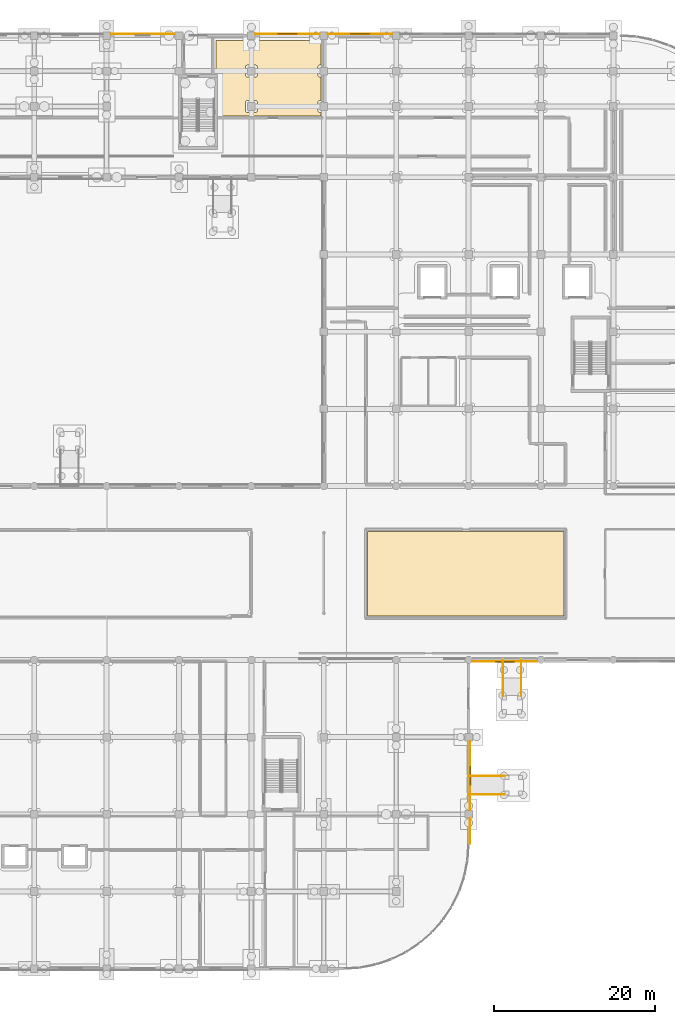
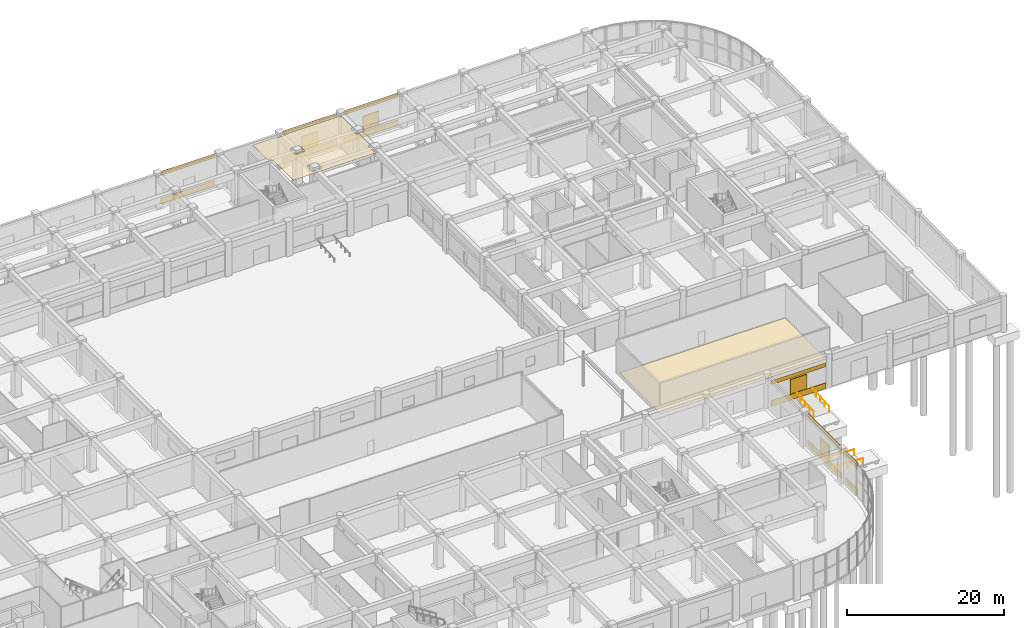
# One storey, part 68 of 74: 14 coverings, 4 railings, 4 shading devices.
"""IFC4 building model written with IfcOpenShell, lengths in metres."""

from ifc_helpers import new_model, si_unit, direction, frame, origin, origin_2d, place, context, subcontext, project, spatial, polyline, rectangle, circle, outline, extrude, material, layer, layer_set, type_object, element, save


model = new_model("IFC4")

# Units and contexts
model_context = context("Model", 3, precision=1e-05, world=origin(), true_north=direction((0.0, 1.0)))
body_context = subcontext(model_context, "Body", "Model", "MODEL_VIEW")
ifc_project = project(units=[si_unit("LENGTHUNIT", "METRE"), si_unit("AREAUNIT", "SQUARE_METRE"), si_unit("VOLUMEUNIT", "CUBIC_METRE"), si_unit("PLANEANGLEUNIT", "RADIAN"), si_unit("MASSUNIT", "GRAM", prefix="KILO")], contexts=[model_context])

# Site, building, storey
site_placement = place(None, origin())
site = spatial("IfcSite", under=ifc_project, at=site_placement, CompositionType="ELEMENT")
building_placement = place(site_placement, origin())
building = spatial("IfcBuilding", under=site, at=building_placement, Name="Cendralis Terraced Arcade", CompositionType="ELEMENT")
storey_placement = place(building_placement, origin())
storey = spatial("IfcBuildingStorey", under=building, at=storey_placement, Name="L00", CompositionType="ELEMENT", Elevation=0.0)

# Coverings
ifc_material_1 = material(Name="Gypsum plasterboard acoustic partition")
ifc_layer_1 = layer(ifc_material_1, 0.02490234375, Name="COV-CEIL-ACOU-25")
ifc_layer_set_1 = layer_set([ifc_layer_1], Name="Gypsum plasterboard acoustic partition")
covering_type_1 = type_object("IfcCoveringType", Name="COV-CEIL-ACOU-25", PredefinedType="CEILING", material=ifc_layer_set_1)
covering_1_placement = place(storey_placement, frame((0.0, 0.0, 5.06494140625)))
element("IfcCovering", 1, at=covering_1_placement, inside=storey, type_object=covering_type_1, Name="Acoustic Soffit Ceiling L00-038", PredefinedType="CEILING", context=body_context, shape_type="SweptSolid", body=[
    extrude(outline(polyline([(107.81005859375, 115.409912109375), (111.480712890625, 115.409912109375), (111.4814453125, 115.40869140625), (111.492919921875, 115.386962890625), (111.493896484375, 115.385498046875), (111.507568359375, 115.364990234375), (111.5087890625, 115.36328125), (111.5244140625, 115.344482421875), (111.525634765625, 115.343017578125), (111.54296875, 115.32568359375), (111.54443359375, 115.32421875), (111.5634765625, 115.30859375), (111.56494140625, 115.3076171875), (111.58544921875, 115.2939453125), (111.5869140625, 115.29296875), (111.608642578125, 115.281494140625), (111.610595703125, 115.280517578125), (111.633056640625, 115.27099609375), (111.635009765625, 115.2705078125), (111.658447265625, 115.263427734375), (111.660400390625, 115.262939453125), (111.684326171875, 115.258056640625), (111.686279296875, 115.2578125), (111.710693359375, 115.25537109375), (111.712646484375, 115.25537109375), (111.72509765625, 115.2548828125), (112.675048828125, 115.2548828125), (112.687255859375, 115.25537109375), (112.689208984375, 115.25537109375), (112.713623046875, 115.2578125), (112.715576171875, 115.258056640625), (112.739501953125, 115.262939453125), (112.74169921875, 115.263427734375), (112.764892578125, 115.2705078125), (112.766845703125, 115.27099609375), (112.78955078125, 115.280517578125), (112.791259765625, 115.281494140625), (112.81298828125, 115.29296875), (112.814697265625, 115.2939453125), (112.8349609375, 115.3076171875), (112.836669921875, 115.30859375), (112.855712890625, 115.32421875), (112.85693359375, 115.32568359375), (112.87451171875, 115.343017578125), (112.875732421875, 115.344482421875), (112.891357421875, 115.36328125), (112.892333984375, 115.364990234375), (112.906005859375, 115.385498046875), (112.906982421875, 115.386962890625), (112.918701171875, 115.40869140625), (112.919189453125, 115.409912109375), (120.480712890625, 115.409912109375), (120.4814453125, 115.40869140625), (120.492919921875, 115.386962890625), (120.493896484375, 115.385498046875), (120.507568359375, 115.364990234375), (120.5087890625, 115.36328125), (120.5244140625, 115.344482421875), (120.525634765625, 115.343017578125), (120.54296875, 115.32568359375), (120.54443359375, 115.32421875), (120.5634765625, 115.30859375), (120.56494140625, 115.3076171875), (120.58544921875, 115.2939453125), (120.5869140625, 115.29296875), (120.608642578125, 115.281494140625), (120.610595703125, 115.280517578125), (120.633056640625, 115.27099609375), (120.635009765625, 115.2705078125), (120.658447265625, 115.263427734375), (120.660400390625, 115.262939453125), (120.684326171875, 115.258056640625), (120.686279296875, 115.2578125), (120.710693359375, 115.25537109375), (120.712646484375, 115.25537109375), (120.72509765625, 115.2548828125), (120.830078125, 115.2548828125), (120.830078125, 112.344970703125), (120.72509765625, 112.344970703125), (120.712646484375, 112.3447265625), (120.710693359375, 112.344482421875), (120.686279296875, 112.34228515625), (120.684326171875, 112.341796875), (120.660400390625, 112.337158203125), (120.658447265625, 112.336669921875), (120.635009765625, 112.32958984375), (120.633056640625, 112.328857421875), (120.610595703125, 112.319580078125), (120.608642578125, 112.318603515625), (120.5869140625, 112.30712890625), (120.58544921875, 112.30615234375), (120.56494140625, 112.29248046875), (120.5634765625, 112.291259765625), (120.54443359375, 112.275634765625), (120.54296875, 112.2744140625), (120.525634765625, 112.257080078125), (120.5244140625, 112.255615234375), (120.5087890625, 112.236572265625), (120.507568359375, 112.235107421875), (120.493896484375, 112.214599609375), (120.492919921875, 112.212890625), (120.4814453125, 112.19140625), (120.48046875, 112.189453125), (120.47119140625, 112.1669921875), (120.470458984375, 112.1650390625), (120.46337890625, 112.1416015625), (120.462890625, 112.1396484375), (120.4580078125, 112.115478515625), (120.457763671875, 112.113525390625), (120.455322265625, 112.089111328125), (120.455322265625, 112.08740234375), (120.455078125, 112.074951171875), (120.455078125, 111.125), (120.455322265625, 111.11279296875), (120.455322265625, 111.11083984375), (120.457763671875, 111.08642578125), (120.4580078125, 111.08447265625), (120.462890625, 111.060302734375), (120.46337890625, 111.058349609375), (120.470458984375, 111.034912109375), (120.47119140625, 111.033203125), (120.48046875, 111.010498046875), (120.4814453125, 111.0087890625), (120.492919921875, 110.987060546875), (120.493896484375, 110.9853515625), (120.507568359375, 110.965087890625), (120.5087890625, 110.96337890625), (120.5244140625, 110.9443359375), (120.525634765625, 110.943115234375), (120.54296875, 110.925537109375), (120.54443359375, 110.92431640625), (120.5634765625, 110.90869140625), (120.56494140625, 110.90771484375), (120.58544921875, 110.893798828125), (120.5869140625, 110.892822265625), (120.608642578125, 110.88134765625), (120.610595703125, 110.880615234375), (120.633056640625, 110.87109375), (120.635009765625, 110.87060546875), (120.658447265625, 110.86328125), (120.660400390625, 110.86279296875), (120.684326171875, 110.858154296875), (120.686279296875, 110.85791015625), (120.710693359375, 110.85546875), (120.712646484375, 110.855224609375), (120.72509765625, 110.85498046875), (120.830078125, 110.85498046875), (120.830078125, 107.945068359375), (120.72509765625, 107.945068359375), (120.712646484375, 107.944580078125), (120.710693359375, 107.944580078125), (120.686279296875, 107.942138671875), (120.684326171875, 107.94189453125), (120.660400390625, 107.93701171875), (120.658447265625, 107.9365234375), (120.635009765625, 107.929443359375), (120.633056640625, 107.928955078125), (120.610595703125, 107.91943359375), (120.608642578125, 107.918701171875), (120.5869140625, 107.906982421875), (120.58544921875, 107.906005859375), (120.56494140625, 107.892333984375), (120.5634765625, 107.891357421875), (120.54443359375, 107.875732421875), (120.54296875, 107.87451171875), (120.525634765625, 107.85693359375), (120.5244140625, 107.855712890625), (120.5087890625, 107.836669921875), (120.507568359375, 107.8349609375), (120.493896484375, 107.814697265625), (120.492919921875, 107.81298828125), (120.4814453125, 107.791259765625), (120.48046875, 107.78955078125), (120.47119140625, 107.766845703125), (120.470458984375, 107.764892578125), (120.46337890625, 107.74169921875), (120.462890625, 107.739501953125), (120.4580078125, 107.715576171875), (120.457763671875, 107.713623046875), (120.455322265625, 107.689208984375), (120.455322265625, 107.687255859375), (120.455078125, 107.675048828125), (120.455078125, 106.72509765625), (120.455322265625, 106.712646484375), (120.455322265625, 106.710693359375), (120.457763671875, 106.686279296875), (120.4580078125, 106.684326171875), (120.462890625, 106.660400390625), (120.46337890625, 106.658447265625), (120.470458984375, 106.635009765625), (120.47119140625, 106.633056640625), (120.48046875, 106.610595703125), (120.4814453125, 106.608642578125), (120.492919921875, 106.5869140625), (120.493896484375, 106.58544921875), (120.507568359375, 106.56494140625), (120.5087890625, 106.5634765625), (120.5244140625, 106.54443359375), (120.525634765625, 106.54296875), (120.54296875, 106.525634765625), (120.54443359375, 106.5244140625), (120.5634765625, 106.5087890625), (120.56494140625, 106.507568359375), (120.58544921875, 106.493896484375), (120.5869140625, 106.492919921875), (120.608642578125, 106.4814453125), (120.610595703125, 106.48046875), (120.633056640625, 106.47119140625), (120.635009765625, 106.470458984375), (120.658447265625, 106.46337890625), (120.660400390625, 106.462890625), (120.684326171875, 106.4580078125), (120.686279296875, 106.457763671875), (120.710693359375, 106.455322265625), (120.712646484375, 106.455322265625), (120.72509765625, 106.455078125), (120.830078125, 106.455078125), (120.830078125, 106.030029296875), (108.639892578125, 106.030029296875), (108.636962890625, 106.030029296875), (108.634033203125, 106.02978515625), (108.630859375, 106.02978515625), (108.625, 106.02978515625), (108.6220703125, 106.029541015625), (108.618896484375, 106.029541015625), (108.615966796875, 106.029296875), (108.55517578125, 106.0263671875), (108.549072265625, 106.02587890625), (108.543212890625, 106.025634765625), (108.537109375, 106.025146484375), (108.525390625, 106.02392578125), (108.519287109375, 106.023193359375), (108.513427734375, 106.0224609375), (108.50732421875, 106.021728515625), (108.447021484375, 106.0126953125), (108.441162109375, 106.01171875), (108.435302734375, 106.0107421875), (108.42919921875, 106.009765625), (108.417724609375, 106.00732421875), (108.41162109375, 106.006103515625), (108.406005859375, 106.0048828125), (108.39990234375, 106.00341796875), (108.389892578125, 106.0009765625), (108.389892578125, 110.800048828125), (108.389892578125, 110.80615234375), (108.389892578125, 110.81201171875), (108.3896484375, 110.818115234375), (108.387451171875, 110.859375), (108.38671875, 110.87158203125), (108.385498046875, 110.88330078125), (108.384033203125, 110.8955078125), (108.3779296875, 110.936279296875), (108.375732421875, 110.9482421875), (108.37353515625, 110.9599609375), (108.370849609375, 110.9716796875), (108.36083984375, 111.01171875), (108.357666015625, 111.023681640625), (108.35400390625, 111.034912109375), (108.350341796875, 111.046630859375), (108.33642578125, 111.08544921875), (108.33203125, 111.0966796875), (108.327392578125, 111.107666015625), (108.322509765625, 111.118896484375), (108.304931640625, 111.15625), (108.29931640625, 111.1669921875), (108.293701171875, 111.177490234375), (108.287841796875, 111.188232421875), (108.2666015625, 111.2236328125), (108.260009765625, 111.23388671875), (108.25341796875, 111.24365234375), (108.246337890625, 111.253662109375), (108.221923828125, 111.286865234375), (108.21435546875, 111.29638671875), (108.206787109375, 111.3056640625), (108.19873046875, 111.31494140625), (108.171142578125, 111.345458984375), (108.16259765625, 111.354248046875), (108.154296875, 111.36279296875), (108.1455078125, 111.37109375), (108.114990234375, 111.398681640625), (108.105712890625, 111.40673828125), (108.096435546875, 111.414306640625), (108.0869140625, 111.421875), (108.0537109375, 111.4462890625), (108.043701171875, 111.45361328125), (108.033935546875, 111.4599609375), (108.023681640625, 111.466552734375), (107.98828125, 111.48779296875), (107.9775390625, 111.493896484375), (107.967041015625, 111.49951171875), (107.956298828125, 111.5048828125), (107.9189453125, 111.5224609375), (107.90771484375, 111.527587890625), (107.896728515625, 111.531982421875), (107.885498046875, 111.536376953125), (107.8466796875, 111.55029296875), (107.8349609375, 111.55419921875), (107.823486328125, 111.5576171875), (107.811767578125, 111.560791015625), (107.81005859375, 111.561279296875), (107.81005859375, 115.409912109375)]), holes=[polyline([(111.58544921875, 106.493896484375), (111.5869140625, 106.492919921875), (111.608642578125, 106.4814453125), (111.610595703125, 106.48046875), (111.633056640625, 106.47119140625), (111.635009765625, 106.470458984375), (111.658447265625, 106.46337890625), (111.660400390625, 106.462890625), (111.684326171875, 106.4580078125), (111.686279296875, 106.457763671875), (111.710693359375, 106.455322265625), (111.712646484375, 106.455322265625), (111.72509765625, 106.455078125), (112.675048828125, 106.455078125), (112.687255859375, 106.455322265625), (112.689208984375, 106.455322265625), (112.713623046875, 106.457763671875), (112.715576171875, 106.4580078125), (112.739501953125, 106.462890625), (112.74169921875, 106.46337890625), (112.764892578125, 106.470458984375), (112.766845703125, 106.47119140625), (112.78955078125, 106.48046875), (112.791259765625, 106.4814453125), (112.81298828125, 106.492919921875), (112.814697265625, 106.493896484375), (112.8349609375, 106.507568359375), (112.836669921875, 106.5087890625), (112.855712890625, 106.5244140625), (112.85693359375, 106.525634765625), (112.87451171875, 106.54296875), (112.875732421875, 106.54443359375), (112.891357421875, 106.5634765625), (112.892333984375, 106.56494140625), (112.906005859375, 106.58544921875), (112.906982421875, 106.5869140625), (112.918701171875, 106.608642578125), (112.91943359375, 106.610595703125), (112.928955078125, 106.633056640625), (112.929443359375, 106.635009765625), (112.9365234375, 106.658447265625), (112.93701171875, 106.660400390625), (112.94189453125, 106.684326171875), (112.942138671875, 106.686279296875), (112.944580078125, 106.710693359375), (112.944580078125, 106.712646484375), (112.945068359375, 106.72509765625), (112.945068359375, 107.675048828125), (112.944580078125, 107.687255859375), (112.944580078125, 107.689208984375), (112.942138671875, 107.713623046875), (112.94189453125, 107.715576171875), (112.93701171875, 107.739501953125), (112.9365234375, 107.74169921875), (112.929443359375, 107.764892578125), (112.928955078125, 107.766845703125), (112.91943359375, 107.78955078125), (112.918701171875, 107.791259765625), (112.906982421875, 107.81298828125), (112.906005859375, 107.814697265625), (112.892333984375, 107.8349609375), (112.891357421875, 107.836669921875), (112.875732421875, 107.855712890625), (112.87451171875, 107.85693359375), (112.85693359375, 107.87451171875), (112.855712890625, 107.875732421875), (112.836669921875, 107.891357421875), (112.8349609375, 107.892333984375), (112.814697265625, 107.906005859375), (112.81298828125, 107.906982421875), (112.791259765625, 107.918701171875), (112.78955078125, 107.91943359375), (112.766845703125, 107.928955078125), (112.764892578125, 107.929443359375), (112.74169921875, 107.9365234375), (112.739501953125, 107.93701171875), (112.715576171875, 107.94189453125), (112.713623046875, 107.942138671875), (112.689208984375, 107.944580078125), (112.687255859375, 107.944580078125), (112.675048828125, 107.945068359375), (111.72509765625, 107.945068359375), (111.712646484375, 107.944580078125), (111.710693359375, 107.944580078125), (111.686279296875, 107.942138671875), (111.684326171875, 107.94189453125), (111.660400390625, 107.93701171875), (111.658447265625, 107.9365234375), (111.635009765625, 107.929443359375), (111.633056640625, 107.928955078125), (111.610595703125, 107.91943359375), (111.608642578125, 107.918701171875), (111.5869140625, 107.906982421875), (111.58544921875, 107.906005859375), (111.56494140625, 107.892333984375), (111.5634765625, 107.891357421875), (111.54443359375, 107.875732421875), (111.54296875, 107.87451171875), (111.525634765625, 107.85693359375), (111.5244140625, 107.855712890625), (111.5087890625, 107.836669921875), (111.507568359375, 107.8349609375), (111.493896484375, 107.814697265625), (111.492919921875, 107.81298828125), (111.4814453125, 107.791259765625), (111.48046875, 107.78955078125), (111.47119140625, 107.766845703125), (111.470458984375, 107.764892578125), (111.46337890625, 107.74169921875), (111.462890625, 107.739501953125), (111.4580078125, 107.715576171875), (111.457763671875, 107.713623046875), (111.455322265625, 107.689208984375), (111.455322265625, 107.687255859375), (111.455078125, 107.675048828125), (111.455078125, 106.72509765625), (111.455322265625, 106.712646484375), (111.455322265625, 106.710693359375), (111.457763671875, 106.686279296875), (111.4580078125, 106.684326171875), (111.462890625, 106.660400390625), (111.46337890625, 106.658447265625), (111.470458984375, 106.635009765625), (111.47119140625, 106.633056640625), (111.48046875, 106.610595703125), (111.4814453125, 106.608642578125), (111.492919921875, 106.5869140625), (111.493896484375, 106.58544921875), (111.507568359375, 106.56494140625), (111.5087890625, 106.5634765625), (111.5244140625, 106.54443359375), (111.525634765625, 106.54296875), (111.54296875, 106.525634765625), (111.54443359375, 106.5244140625), (111.5634765625, 106.5087890625), (111.56494140625, 106.507568359375), (111.58544921875, 106.493896484375)]), polyline([(111.58544921875, 110.893798828125), (111.5869140625, 110.892822265625), (111.608642578125, 110.88134765625), (111.610595703125, 110.880615234375), (111.633056640625, 110.87109375), (111.635009765625, 110.87060546875), (111.658447265625, 110.86328125), (111.660400390625, 110.86279296875), (111.684326171875, 110.858154296875), (111.686279296875, 110.85791015625), (111.710693359375, 110.85546875), (111.712646484375, 110.855224609375), (111.72509765625, 110.85498046875), (112.675048828125, 110.85498046875), (112.687255859375, 110.855224609375), (112.689208984375, 110.85546875), (112.713623046875, 110.85791015625), (112.715576171875, 110.858154296875), (112.739501953125, 110.86279296875), (112.74169921875, 110.86328125), (112.764892578125, 110.87060546875), (112.766845703125, 110.87109375), (112.78955078125, 110.880615234375), (112.791259765625, 110.88134765625), (112.81298828125, 110.892822265625), (112.814697265625, 110.893798828125), (112.8349609375, 110.90771484375), (112.836669921875, 110.90869140625), (112.855712890625, 110.92431640625), (112.85693359375, 110.925537109375), (112.87451171875, 110.943115234375), (112.875732421875, 110.9443359375), (112.891357421875, 110.96337890625), (112.892333984375, 110.965087890625), (112.906005859375, 110.9853515625), (112.906982421875, 110.987060546875), (112.918701171875, 111.0087890625), (112.91943359375, 111.010498046875), (112.928955078125, 111.033203125), (112.929443359375, 111.034912109375), (112.9365234375, 111.058349609375), (112.93701171875, 111.060302734375), (112.94189453125, 111.08447265625), (112.942138671875, 111.08642578125), (112.944580078125, 111.11083984375), (112.944580078125, 111.11279296875), (112.945068359375, 111.125), (112.945068359375, 112.074951171875), (112.944580078125, 112.08740234375), (112.944580078125, 112.089111328125), (112.942138671875, 112.113525390625), (112.94189453125, 112.115478515625), (112.93701171875, 112.1396484375), (112.9365234375, 112.1416015625), (112.929443359375, 112.1650390625), (112.928955078125, 112.1669921875), (112.91943359375, 112.189453125), (112.918701171875, 112.19140625), (112.906982421875, 112.212890625), (112.906005859375, 112.214599609375), (112.892333984375, 112.235107421875), (112.891357421875, 112.236572265625), (112.875732421875, 112.255615234375), (112.87451171875, 112.257080078125), (112.85693359375, 112.2744140625), (112.855712890625, 112.275634765625), (112.836669921875, 112.291259765625), (112.8349609375, 112.29248046875), (112.814697265625, 112.30615234375), (112.81298828125, 112.30712890625), (112.791259765625, 112.318603515625), (112.78955078125, 112.319580078125), (112.766845703125, 112.328857421875), (112.764892578125, 112.32958984375), (112.74169921875, 112.336669921875), (112.739501953125, 112.337158203125), (112.715576171875, 112.341796875), (112.713623046875, 112.34228515625), (112.689208984375, 112.344482421875), (112.687255859375, 112.3447265625), (112.675048828125, 112.344970703125), (111.72509765625, 112.344970703125), (111.712646484375, 112.3447265625), (111.710693359375, 112.344482421875), (111.686279296875, 112.34228515625), (111.684326171875, 112.341796875), (111.660400390625, 112.337158203125), (111.658447265625, 112.336669921875), (111.635009765625, 112.32958984375), (111.633056640625, 112.328857421875), (111.610595703125, 112.319580078125), (111.608642578125, 112.318603515625), (111.5869140625, 112.30712890625), (111.58544921875, 112.30615234375), (111.56494140625, 112.29248046875), (111.5634765625, 112.291259765625), (111.54443359375, 112.275634765625), (111.54296875, 112.2744140625), (111.525634765625, 112.257080078125), (111.5244140625, 112.255615234375), (111.5087890625, 112.236572265625), (111.507568359375, 112.235107421875), (111.493896484375, 112.214599609375), (111.492919921875, 112.212890625), (111.4814453125, 112.19140625), (111.48046875, 112.189453125), (111.47119140625, 112.1669921875), (111.470458984375, 112.1650390625), (111.46337890625, 112.1416015625), (111.462890625, 112.1396484375), (111.4580078125, 112.115478515625), (111.457763671875, 112.113525390625), (111.455322265625, 112.089111328125), (111.455322265625, 112.08740234375), (111.455078125, 112.074951171875), (111.455078125, 111.125), (111.455322265625, 111.11279296875), (111.455322265625, 111.11083984375), (111.457763671875, 111.08642578125), (111.4580078125, 111.08447265625), (111.462890625, 111.060302734375), (111.46337890625, 111.058349609375), (111.470458984375, 111.034912109375), (111.47119140625, 111.033203125), (111.48046875, 111.010498046875), (111.4814453125, 111.0087890625), (111.492919921875, 110.987060546875), (111.493896484375, 110.9853515625), (111.507568359375, 110.965087890625), (111.5087890625, 110.96337890625), (111.5244140625, 110.9443359375), (111.525634765625, 110.943115234375), (111.54296875, 110.925537109375), (111.54443359375, 110.92431640625), (111.5634765625, 110.90869140625), (111.56494140625, 110.90771484375), (111.58544921875, 110.893798828125)])]), origin(), (0.0, 0.0, 1.0), 0.025146484375),
])
ifc_material_2 = material(Name="Precast concrete f'c 40 MPa", Category="concrete")
ifc_layer_2 = layer(ifc_material_2, 0.06494140625, Name="COV-CLAD-GRC-65")
ifc_layer_set_2 = layer_set([ifc_layer_2], Name="Precast concrete f'c 40 MPa")
covering_type_2 = type_object("IfcCoveringType", Name="COV-CLAD-GRC-65", PredefinedType="CLADDING", material=ifc_layer_set_2)
covering_2_placement = place(storey_placement, frame((98.699951171875, 116.18994140625, 0.0), z_axis=(0.0, 0.0, 1.0), x_axis=(1.0, 0.0, 0.0)))
element("IfcCovering", 2, at=covering_2_placement, inside=storey, type_object=covering_type_2, Name="Banded Precast Stone Spandrel Cladding L00-047", PredefinedType="CLADDING", context=body_context, shape_type="SweptSolid", body=[
    extrude(rectangle(XDim=7.993896484375, YDim=0.06494140625, at=origin_2d()), origin(), (0.0, 0.0, 1.0), 0.89990234375),
])
covering_3_placement = place(storey_placement, frame((98.699951171875, 116.18994140625, 4.469970703125), z_axis=(0.0, 0.0, 1.0), x_axis=(1.0, 0.0, 0.0)))
element("IfcCovering", 3, at=covering_3_placement, inside=storey, type_object=covering_type_2, Name="Banded Precast Stone Lintel Cladding L00-048", PredefinedType="CLADDING", context=body_context, shape_type="SweptSolid", body=[
    extrude(rectangle(XDim=7.993896484375, YDim=0.06494140625, at=origin_2d()), origin(), (0.0, 0.0, 1.0), 0.60009765625),
])
covering_4_placement = place(storey_placement, frame((116.699951171875, 116.18994140625, 0.0), z_axis=(0.0, 0.0, 1.0), x_axis=(1.0, 0.0, 0.0)))
element("IfcCovering", 4, at=covering_4_placement, inside=storey, type_object=covering_type_2, Name="Banded Precast Stone Spandrel Cladding L00-049", PredefinedType="CLADDING", context=body_context, shape_type="SweptSolid", body=[
    extrude(rectangle(XDim=7.993896484375, YDim=0.06494140625, at=origin_2d()), origin(), (0.0, 0.0, 1.0), 0.89990234375),
])
covering_5_placement = place(storey_placement, frame((116.699951171875, 116.18994140625, 4.469970703125), z_axis=(0.0, 0.0, 1.0), x_axis=(1.0, 0.0, 0.0)))
element("IfcCovering", 5, at=covering_5_placement, inside=storey, type_object=covering_type_2, Name="Banded Precast Stone Lintel Cladding L00-050", PredefinedType="CLADDING", context=body_context, shape_type="SweptSolid", body=[
    extrude(rectangle(XDim=7.993896484375, YDim=0.06494140625, at=origin_2d()), origin(), (0.0, 0.0, 1.0), 0.60009765625),
])
covering_6_placement = place(storey_placement, frame((125.699951171875, 116.18994140625, 0.0), z_axis=(0.0, 0.0, 1.0), x_axis=(1.0, 0.0, 0.0)))
element("IfcCovering", 6, at=covering_6_placement, inside=storey, type_object=covering_type_2, Name="Banded Precast Stone Spandrel Cladding L00-051", PredefinedType="CLADDING", context=body_context, shape_type="SweptSolid", body=[
    extrude(rectangle(XDim=7.993896484375, YDim=0.06494140625, at=origin_2d()), origin(), (0.0, 0.0, 1.0), 0.89990234375),
])
covering_7_placement = place(storey_placement, frame((125.699951171875, 116.18994140625, 4.469970703125), z_axis=(0.0, 0.0, 1.0), x_axis=(1.0, 0.0, 0.0)))
element("IfcCovering", 7, at=covering_7_placement, inside=storey, type_object=covering_type_2, Name="Banded Precast Stone Lintel Cladding L00-052", PredefinedType="CLADDING", context=body_context, shape_type="SweptSolid", body=[
    extrude(rectangle(XDim=7.993896484375, YDim=0.06494140625, at=origin_2d()), origin(), (0.0, 0.0, 1.0), 0.60009765625),
])
covering_8_placement = place(storey_placement, frame((143.699951171875, 38.2099609375, 0.0), z_axis=(0.0, 0.0, 1.0), x_axis=(-1.0, 0.0, 0.0)))
element("IfcCovering", 8, at=covering_8_placement, inside=storey, type_object=covering_type_2, Name="Banded Precast Stone Spandrel Cladding L00-069", PredefinedType="CLADDING", context=body_context, shape_type="SweptSolid", body=[
    extrude(rectangle(XDim=8.0439453125, YDim=0.06494140625, at=origin_2d()), origin(), (0.0, 0.0, 1.0), 0.89990234375),
])
covering_9_placement = place(storey_placement, frame((143.699951171875, 38.2099609375, 3.409912109375), z_axis=(0.0, 0.0, 1.0), x_axis=(-1.0, 0.0, 0.0)))
element("IfcCovering", 9, at=covering_9_placement, inside=storey, type_object=covering_type_2, Name="Banded Precast Stone Lintel Cladding L00-070", PredefinedType="CLADDING", context=body_context, shape_type="SweptSolid", body=[
    extrude(rectangle(XDim=8.0439453125, YDim=0.06494140625, at=origin_2d()), origin(), (0.0, 0.0, 1.0), 0.60009765625),
])
covering_10_placement = place(storey_placement, frame((139.375, 24.0, 0.0), z_axis=(0.0, 0.0, 1.0), x_axis=(0.0, -1.0, 0.0)))
element("IfcCovering", 10, at=covering_10_placement, inside=storey, type_object=covering_type_2, Name="Banded Precast Stone Spandrel Cladding L00-071", PredefinedType="CLADDING", context=body_context, shape_type="SweptSolid", body=[
    extrude(rectangle(XDim=8.593994140625, YDim=0.06494140625, at=origin_2d()), origin(), (0.0, 0.0, 1.0), 0.89990234375),
])
covering_11_placement = place(storey_placement, frame((139.375, 24.0, 4.469970703125), z_axis=(0.0, 0.0, 1.0), x_axis=(0.0, -1.0, 0.0)))
element("IfcCovering", 11, at=covering_11_placement, inside=storey, type_object=covering_type_2, Name="Banded Precast Stone Lintel Cladding L00-072", PredefinedType="CLADDING", context=body_context, shape_type="SweptSolid", body=[
    extrude(rectangle(XDim=8.593994140625, YDim=0.06494140625, at=origin_2d()), origin(), (0.0, 0.0, 1.0), 0.60009765625),
])
covering_12_placement = place(storey_placement, frame((139.375, 17.113525390625, 0.0), z_axis=(0.0, 0.0, 1.0), x_axis=(0.0, -1.0, 0.0)))
element("IfcCovering", 12, at=covering_12_placement, inside=storey, type_object=covering_type_2, Name="Banded Precast Stone Spandrel Cladding L00-073", PredefinedType="CLADDING", context=body_context, shape_type="SweptSolid", body=[
    extrude(rectangle(XDim=3.1669921875, YDim=0.06494140625, at=origin_2d()), origin(), (0.0, 0.0, 1.0), 0.89990234375),
])
covering_13_placement = place(storey_placement, frame((139.375, 17.113525390625, 4.469970703125), z_axis=(0.0, 0.0, 1.0), x_axis=(0.0, -1.0, 0.0)))
element("IfcCovering", 13, at=covering_13_placement, inside=storey, type_object=covering_type_2, Name="Banded Precast Stone Lintel Cladding L00-074", PredefinedType="CLADDING", context=body_context, shape_type="SweptSolid", body=[
    extrude(rectangle(XDim=3.1669921875, YDim=0.06494140625, at=origin_2d()), origin(), (0.0, 0.0, 1.0), 0.60009765625),
])
ifc_material_3 = material(Name="Warm Andean oak timber", Category="wood")
ifc_layer_3 = layer(ifc_material_3, 0.02197265625, Name="COV-FLR-OAK-22")
ifc_layer_set_3 = layer_set([ifc_layer_3], Name="Warm Andean oak timber")
covering_type_3 = type_object("IfcCoveringType", Name="COV-FLR-OAK-22", PredefinedType="FLOORING", material=ifc_layer_set_3)
covering_14_placement = place(storey_placement, origin())
element("IfcCovering", 14, at=covering_14_placement, inside=storey, type_object=covering_type_3, Name="Interior Finish Flooring L00-033", PredefinedType="FLOORING", context=body_context, shape_type="SweptSolid", body=[
    extrude(outline(polyline([(151.070068359375, 43.830078125), (126.6298828125, 43.830078125), (126.6298828125, 54.3701171875), (151.070068359375, 54.3701171875), (151.070068359375, 43.830078125)])), origin(), (0.0, 0.0, 1.0), 0.02197265625),
])

# Railings
ifc_material_4 = material(Name="Brushed stainless steel AISI 316", Category="steel")
railing_type = type_object("IfcRailingType", Name="RL-RAMP-HAND-915", PredefinedType="HANDRAIL", material=ifc_material_4)
for number, where, name in (
    (15, (143.699951171875, 21.659912109375, -0.360107421875), "Accessible Pedestrian Ramp Handrail RMP-02-1"),
    (16, (143.699951171875, 23.93994140625, -0.360107421875), "Accessible Pedestrian Ramp Handrail RMP-02-2"),
):
    element("IfcRailing", number, at=place(storey_placement, frame(where)), inside=storey, type_object=railing_type, Name=name, PredefinedType="HANDRAIL", context=body_context, shape_type="SweptSolid", body=[
        extrude(circle(Radius=0.02392578125, at=origin_2d()), frame((0.0, 0.0, 0.89111328125), z_axis=(-0.996813386725, 0.0, 0.079768866396), x_axis=(0.0, -1.0, 0.0)), (0.0, 0.0, 1.0), 4.514404296875),
        extrude(circle(Radius=0.02099609375, at=origin_2d()), origin(), (0.0, 0.0, 1.0), 0.866943359375),
        extrude(circle(Radius=0.02099609375, at=origin_2d()), frame((-1.125, 0.0, 0.090087890625)), (0.0, 0.0, 1.0), 0.866943359375),
        extrude(circle(Radius=0.02099609375, at=origin_2d()), frame((-2.25, 0.0, 0.18017578125)), (0.0, 0.0, 1.0), 0.866943359375),
        extrude(circle(Radius=0.02099609375, at=origin_2d()), frame((-3.375, 0.0, 0.27001953125)), (0.0, 0.0, 1.0), 0.866943359375),
        extrude(circle(Radius=0.02099609375, at=origin_2d()), frame((-4.5, 0.0, 0.360107421875)), (0.0, 0.0, 1.0), 0.866943359375),
    ])
for number, where, name in (
    (17, (143.4599609375, 33.89990234375, -0.360107421875), "Accessible Pedestrian Ramp Handrail RMP-03-1"),
    (18, (145.739990234375, 33.89990234375, -0.360107421875), "Accessible Pedestrian Ramp Handrail RMP-03-2"),
):
    element("IfcRailing", number, at=place(storey_placement, frame(where)), inside=storey, type_object=railing_type, Name=name, PredefinedType="HANDRAIL", context=body_context, shape_type="SweptSolid", body=[
        extrude(circle(Radius=0.02392578125, at=origin_2d()), frame((0.0, 0.0, 0.89111328125), z_axis=(0.0, 0.996813386725, 0.079768866396), x_axis=(-1.0, 0.0, 0.0)), (0.0, 0.0, 1.0), 4.514404296875),
        extrude(circle(Radius=0.02099609375, at=origin_2d()), origin(), (0.0, 0.0, 1.0), 0.866943359375),
        extrude(circle(Radius=0.02099609375, at=origin_2d()), frame((0.0, 1.125, 0.090087890625)), (0.0, 0.0, 1.0), 0.866943359375),
        extrude(circle(Radius=0.02099609375, at=origin_2d()), frame((0.0, 2.25, 0.18017578125)), (0.0, 0.0, 1.0), 0.866943359375),
        extrude(circle(Radius=0.02099609375, at=origin_2d()), frame((0.0, 3.375, 0.27001953125)), (0.0, 0.0, 1.0), 0.866943359375),
        extrude(circle(Radius=0.02099609375, at=origin_2d()), frame((0.0, 4.5, 0.360107421875)), (0.0, 0.0, 1.0), 0.866943359375),
    ])

# Shading devices
ifc_material_5 = material(Name="Anodised aluminium EN AW-6063 T6", Category="aluminium")
shading_device_type = type_object("IfcShadingDeviceType", Name="SHD-LOUVRE-JAL", PredefinedType="JALOUSIE", material=ifc_material_5)
for number, where, z_axis, x_axis, name in (
    (19, (116.699951171875, 116.22509765625, 1.0498046875), (0.0, 0.0, 1.0), (1.0, 0.0, 0.0), "Acoustic Plant Intake Jalousie Louvre JAL-L00-01"),
    (20, (125.699951171875, 116.22509765625, 1.0498046875), (0.0, 0.0, 1.0), (1.0, 0.0, 0.0), "Acoustic Plant Intake Jalousie Louvre JAL-L00-02"),
    (21, (143.699951171875, 38.175048828125, 1.0498046875), (0.0, 0.0, 1.0), (-1.0, 0.0, 0.0), "Acoustic Plant Intake Jalousie Louvre JAL-L00-11"),
    (22, (139.409912109375, 24.0, 1.0498046875), (0.0, 0.0, 1.0), (0.0, -1.0, 0.0), "Acoustic Plant Intake Jalousie Louvre JAL-L00-12"),
):
    element("IfcShadingDevice", number, at=place(storey_placement, frame(where, z_axis=z_axis, x_axis=x_axis)), inside=storey, type_object=shading_device_type, Name=name, PredefinedType="JALOUSIE", context=body_context, shape_type="SweptSolid", body=[
        extrude(rectangle(XDim=2.39990234375, YDim=0.139892578125, at=origin_2d()), origin(), (0.0, 0.0, 1.0), 2.199951171875),
    ])

save(model, "model.ifc")
